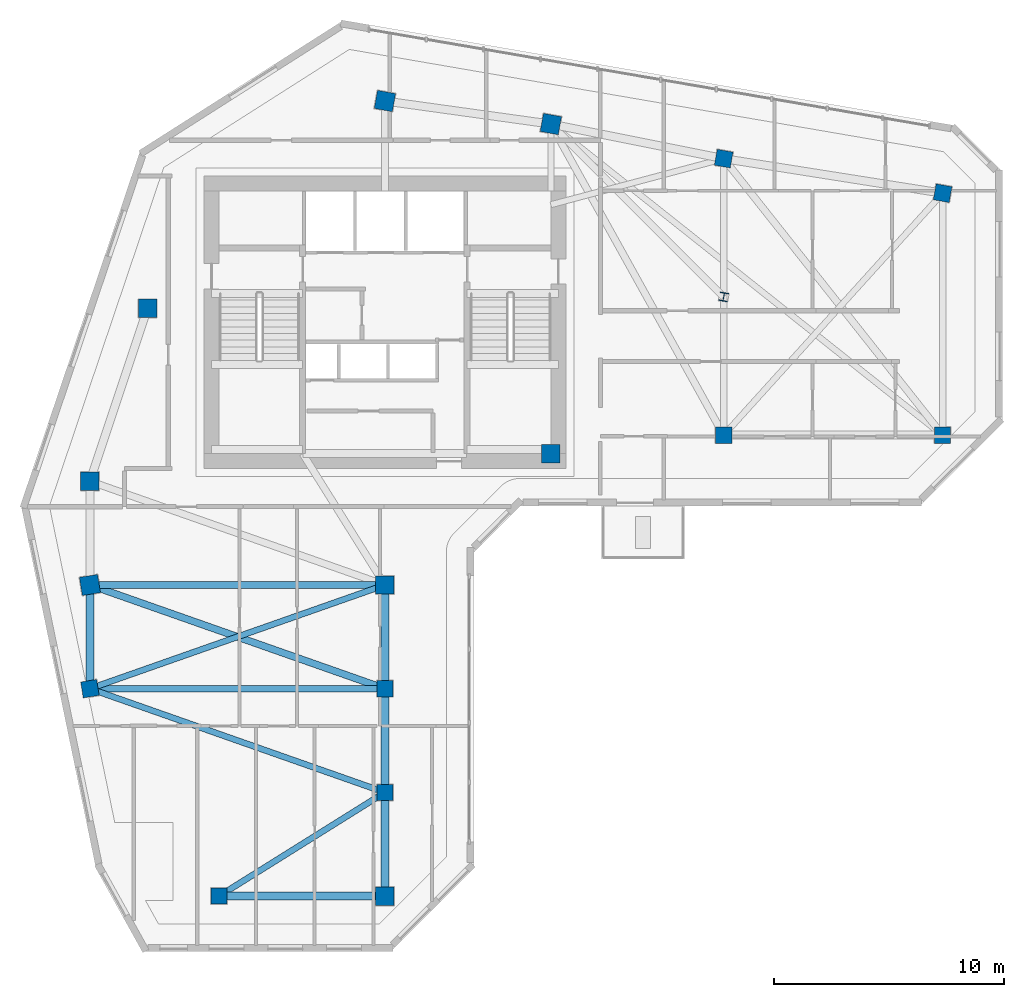
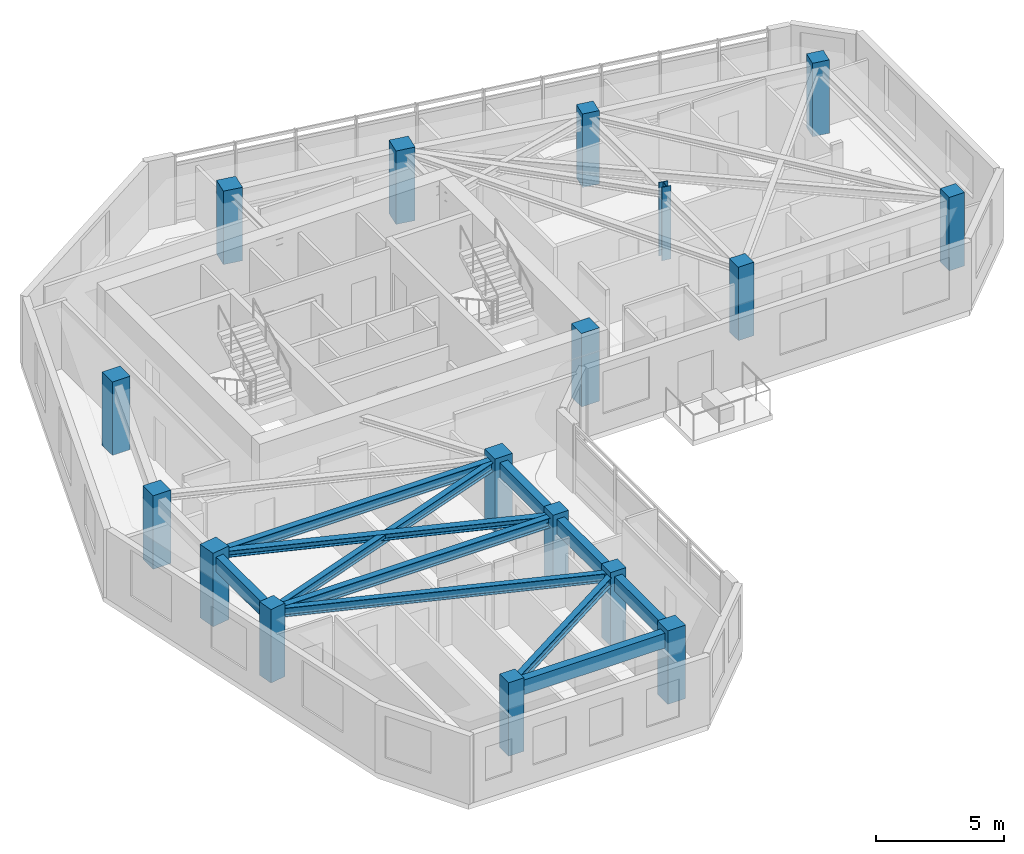
# One storey, part 1 of 11: 17 columns, 11 beams.
"""IFC4 building model written with IfcOpenShell, lengths in metres."""

from ifc_helpers import new_model, si_unit, direction, frame, origin, origin_2d, place, context, subcontext, project, spatial, rectangle, i_section, extrude, source, transform, mapped, material, material_profile, profile_set, type_object, element, save


model = new_model("IFC4")

# Units and contexts
model_context = context("Model", 3, precision=1e-05, world=origin(), true_north=direction((0.0, 1.0)))
body_context = subcontext(model_context, "Body", "Model", "MODEL_VIEW")
ifc_project = project(units=[si_unit("LENGTHUNIT", "METRE"), si_unit("AREAUNIT", "SQUARE_METRE"), si_unit("VOLUMEUNIT", "CUBIC_METRE"), si_unit("PLANEANGLEUNIT", "RADIAN"), si_unit("MASSUNIT", "GRAM", prefix="KILO")], contexts=[model_context])

# Site, building, storey
site_placement = place(None, origin())
site = spatial("IfcSite", under=ifc_project, at=site_placement, CompositionType="ELEMENT")
building_placement = place(site_placement, origin())
building = spatial("IfcBuilding", under=site, at=building_placement, Name="Calvemar Wedge Station Tower", CompositionType="ELEMENT")
storey_placement = place(building_placement, frame((0.0, 0.0, 190.39990234375)))
storey = spatial("IfcBuildingStorey", under=building, at=storey_placement, Name="L47", CompositionType="ELEMENT", Elevation=190.39990234375)

# Columns
ifc_material_1 = material(Name="Concrete C50", Category="concrete")
ifc_material_profile_1 = material_profile(ifc_material_1, rectangle(XDim=0.800048828125, YDim=0.800048828125, at=origin_2d()), Name="RC800x800")
ifc_profile_set_1 = profile_set([ifc_material_profile_1], Name="Concrete C50")
column_type_1 = type_object("IfcColumnType", Name="COL-C6-800", PredefinedType="COLUMN", material=ifc_profile_set_1)
shared_shape_1 = source(origin(), body_context, "Body", "SweptSolid", [
    extrude(rectangle(XDim=0.800048828125, YDim=0.800048828125, at=origin_2d()), origin(), (0.0, 0.0, 1.0), 3.5),
])
for number, where, z_axis, x_axis, name in (
    (1, (11.0, 33.0, 0.0), (0.0, 0.0, 1.0), (1.0, 0.0, 0.0), "Storey L47 Column T-NW1"),
    (2, (13.5, 40.5, 0.0), (0.0, 0.0, 1.0), (1.0, 0.0, 0.0), "Storey L47 Column T-NW2"),
    (3, (23.800048828125, 49.5, 0.0), (0.0, 0.0, 1.0), (0.984195607969, -0.17708474032, 0.0), "Storey L47 Column T-N1"),
    (4, (31.0, 48.5, 0.0), (0.0, 0.0, 1.0), (0.984195607969, -0.17708474032, 0.0), "Storey L47 Column T-N2"),
    (5, (31.0, 34.199951171875, 0.0), (0.0, 0.0, 1.0), (1.0, 0.0, 0.0), "Storey L47 Column T-NL1"),
    (6, (11.0, 28.5, 0.0), (0.0, 0.0, 1.0), (0.158158067254, -0.987413806751, 0.0), "Storey L47 Column T-SW1"),
    (7, (23.800048828125, 28.5, 0.0), (0.0, 0.0, 1.0), (1.0, 0.0, 0.0), "Storey L47 Column T-SE1"),
    (8, (23.800048828125, 15.0, 0.0), (0.0, 0.0, 1.0), (1.0, 0.0, 0.0), "Storey L47 Column T-SE4"),
):
    element("IfcColumn", number, at=place(storey_placement, frame(where, z_axis=z_axis, x_axis=x_axis)), inside=storey, type_object=column_type_1, Name=name, PredefinedType="COLUMN", context=body_context, shape_type="MappedRepresentation", body=[
        mapped(shared_shape_1, transform((0.0, 0.0, 0.0), scale=1.0)),
    ])
ifc_material_profile_2 = material_profile(ifc_material_1, rectangle(XDim=0.699951171875, YDim=0.699951171875, at=origin_2d()), Name="RC700x700")
ifc_profile_set_2 = profile_set([ifc_material_profile_2], Name="Concrete C50")
column_type_2 = type_object("IfcColumnType", Name="COL-C7-700", PredefinedType="COLUMN", material=ifc_profile_set_2)
shared_shape_2 = source(origin(), body_context, "Body", "SweptSolid", [
    extrude(rectangle(XDim=0.699951171875, YDim=0.699951171875, at=origin_2d()), origin(), (0.0, 0.0, 1.0), 3.5),
])
for number, where, z_axis, x_axis, name in (
    (9, (38.5, 47.0, 0.0), (0.0, 0.0, 1.0), (0.984195607969, -0.17708474032, 0.0), "Storey L47 Column T-NU3"),
    (10, (48.0, 45.5, 0.0), (0.0, 0.0, 1.0), (0.984195607969, -0.17708474032, 0.0), "Storey L47 Column T-NU4"),
    (11, (38.5, 35.0, 0.0), (0.0, 0.0, 1.0), (1.0, 0.0, 0.0), "Storey L47 Column T-NL2"),
    (12, (48.0, 35.0, 0.0), (0.0, 0.0, 1.0), (1.0, 0.0, 0.0), "Storey L47 Column T-NL3"),
    (13, (11.0, 24.0, 0.0), (0.0, 0.0, 1.0), (0.158158067254, -0.987413806751, 0.0), "Storey L47 Column T-SW2"),
    (14, (23.800048828125, 24.0, 0.0), (0.0, 0.0, 1.0), (1.0, 0.0, 0.0), "Storey L47 Column T-SE2"),
    (15, (23.800048828125, 19.5, 0.0), (0.0, 0.0, 1.0), (1.0, 0.0, 0.0), "Storey L47 Column T-SE3"),
    (16, (16.60009765625, 15.0, 0.0), (0.0, 0.0, 1.0), (1.0, 0.0, 0.0), "Storey L47 Column T-SM1"),
):
    element("IfcColumn", number, at=place(storey_placement, frame(where, z_axis=z_axis, x_axis=x_axis)), inside=storey, type_object=column_type_2, Name=name, PredefinedType="COLUMN", context=body_context, shape_type="MappedRepresentation", body=[
        mapped(shared_shape_2, transform((0.0, 0.0, 0.0), scale=1.0)),
    ])
ifc_material_2 = material(Name="Structural steel ASTM A572 Grade 50", Category="steel")
ifc_material_profile_3 = material_profile(ifc_material_2, i_section(OverallWidth=0.3740234375, OverallDepth=0.3720703125, WebThickness=0.016357421875, FlangeThickness=0.026123046875, FilletRadius=0.014892578125, at=origin_2d()), Name="W360x196")
ifc_profile_set_3 = profile_set([ifc_material_profile_3], Name="Structural steel ASTM A572 Grade 50")
column_type_3 = type_object("IfcColumnType", Name="COL-STL-W360", PredefinedType="COLUMN", material=ifc_profile_set_3)
shared_shape_3 = source(origin(), body_context, "Body", "SweptSolid", [
    extrude(i_section(OverallWidth=0.3740234375, OverallDepth=0.3720703125, WebThickness=0.016357421875, FlangeThickness=0.026123046875, FilletRadius=0.014892578125, at=origin_2d()), origin(), (0.0, 0.0, 1.0), 3.5),
])
column_placement = place(storey_placement, frame((38.5, 41.0, 0.0), z_axis=(0.0, 0.0, 1.0), x_axis=(0.984195607969, -0.17708474032, 0.0)))
element("IfcColumn", 17, at=column_placement, inside=storey, type_object=column_type_3, Name="Storey L47 Column T-NTIP-B", PredefinedType="COLUMN", context=body_context, shape_type="MappedRepresentation", body=[
    mapped(shared_shape_3, transform((0.0, 0.0, 0.0), scale=1.0)),
])

# Beams
ifc_material_profile_4 = material_profile(ifc_material_2, i_section(OverallWidth=0.304931640625, OverallDepth=0.30810546875, WebThickness=0.010009765625, FlangeThickness=0.015380859375, FilletRadius=0.014892578125, at=origin_2d()), Name="W310x97")
ifc_profile_set_4 = profile_set([ifc_material_profile_4], Name="Structural steel ASTM A572 Grade 50")
beam_type_1 = type_object("IfcBeamType", Name="BM-J6-W310", PredefinedType="JOIST", material=ifc_profile_set_4)
shared_shape_4 = source(origin(), body_context, "Body", "SweptSolid", [
    extrude(i_section(OverallWidth=0.304931640625, OverallDepth=0.30810546875, WebThickness=0.010009765625, FlangeThickness=0.015380859375, FilletRadius=0.014892578125, at=origin_2d()), origin(), (0.0, 0.0, 1.0), 13.568115234375),
])
beam_1_placement = place(storey_placement, frame((11.0, 28.5, 3.09619140625), z_axis=(0.943398221169, -0.331662171939, 0.0), x_axis=(0.331662171939, 0.943398221169, 0.0)))
element("IfcBeam", 18, at=beam_1_placement, inside=storey, type_object=beam_type_1, Name="Storey L47 Floor Beam T-SW1-T-SE2", PredefinedType="JOIST", context=body_context, shape_type="MappedRepresentation", body=[
    mapped(shared_shape_4, transform((0.0, 0.0, 0.0), scale=1.0)),
])
ifc_material_profile_5 = material_profile(ifc_material_2, i_section(OverallWidth=0.260986328125, OverallDepth=0.419921875, WebThickness=0.01171875, FlangeThickness=0.019287109375, FilletRadius=0.012939453125, at=origin_2d()), Name="W410x114")
ifc_profile_set_5 = profile_set([ifc_material_profile_5], Name="Structural steel ASTM A572 Grade 50")
beam_type_2 = type_object("IfcBeamType", Name="BM-J2-W410H", PredefinedType="JOIST", material=ifc_profile_set_5)
shared_shape_5 = source(origin(), body_context, "Body", "SweptSolid", [
    extrude(i_section(OverallWidth=0.260986328125, OverallDepth=0.419921875, WebThickness=0.01171875, FlangeThickness=0.019287109375, FilletRadius=0.012939453125, at=origin_2d()), origin(), (0.0, 0.0, 1.0), 13.568115234375),
])
for number, where, z_axis, x_axis, name in (
    (19, (23.800048828125, 28.5, 3.0400390625), (-0.943398221169, -0.331662171939, 0.0), (0.331662171939, -0.943398221169, 0.0), "Storey L47 Floor Beam T-SE1-T-SW2"),
    (20, (11.0, 24.0, 3.0400390625), (0.943398221169, -0.331662171939, 0.0), (0.331662171939, 0.943398221169, 0.0), "Storey L47 Floor Beam T-SW2-T-SE3"),
):
    element("IfcBeam", number, at=place(storey_placement, frame(where, z_axis=z_axis, x_axis=x_axis)), inside=storey, type_object=beam_type_2, Name=name, PredefinedType="JOIST", context=body_context, shape_type="MappedRepresentation", body=[
        mapped(shared_shape_5, transform((0.0, 0.0, 0.0), scale=1.0)),
    ])
shared_shape_6 = source(origin(), body_context, "Body", "SweptSolid", [
    extrude(i_section(OverallWidth=0.260986328125, OverallDepth=0.419921875, WebThickness=0.01171875, FlangeThickness=0.019287109375, FilletRadius=0.012939453125, at=origin_2d()), origin(), (0.0, 0.0, 1.0), 8.490478515625),
])
beam_2_placement = place(storey_placement, frame((23.800048828125, 19.5, 3.0400390625), z_axis=(-0.847996688584, -0.530001524668, 0.0), x_axis=(0.530001524668, -0.847996688584, 0.0)))
element("IfcBeam", 21, at=beam_2_placement, inside=storey, type_object=beam_type_2, Name="Storey L47 Floor Beam T-SE3-T-SM1", PredefinedType="JOIST", context=body_context, shape_type="MappedRepresentation", body=[
    mapped(shared_shape_6, transform((0.0, 0.0, 0.0), scale=1.0)),
])
ifc_material_profile_6 = material_profile(ifc_material_1, rectangle(XDim=0.35009765625, YDim=0.699951171875, at=origin_2d()), Name="RC350x700")
ifc_profile_set_6 = profile_set([ifc_material_profile_6], Name="Concrete C50")
beam_type_3 = type_object("IfcBeamType", Name="BM-SP2-700", PredefinedType="SPANDREL", material=ifc_profile_set_6)
shared_shape_7 = source(origin(), body_context, "Body", "SweptSolid", [
    extrude(rectangle(XDim=0.35009765625, YDim=0.699951171875, at=origin_2d()), origin(), (0.0, 0.0, 1.0), 4.5),
])
for number, where, z_axis, x_axis, name in (
    (22, (11.0, 28.5, 2.900146484375), (0.0, -1.0, 0.0), (1.0, 0.0, 0.0), "Storey L47 Spandrel T-SW1-T-SW2"),
    (23, (23.800048828125, 28.5, 2.900146484375), (0.0, -1.0, 0.0), (1.0, 0.0, 0.0), "Storey L47 Spandrel T-SE1-T-SE2"),
    (24, (23.800048828125, 24.0, 2.900146484375), (0.0, -1.0, 0.0), (1.0, 0.0, 0.0), "Storey L47 Spandrel T-SE2-T-SE3"),
    (25, (23.800048828125, 19.5, 2.900146484375), (0.0, -1.0, 0.0), (1.0, 0.0, 0.0), "Storey L47 Spandrel T-SE3-T-SE4"),
):
    element("IfcBeam", number, at=place(storey_placement, frame(where, z_axis=z_axis, x_axis=x_axis)), inside=storey, type_object=beam_type_3, Name=name, PredefinedType="SPANDREL", context=body_context, shape_type="MappedRepresentation", body=[
        mapped(shared_shape_7, transform((0.0, 0.0, 0.0), scale=1.0)),
    ])
shared_shape_8 = source(origin(), body_context, "Body", "SweptSolid", [
    extrude(rectangle(XDim=0.35009765625, YDim=0.699951171875, at=origin_2d()), origin(), (0.0, 0.0, 1.0), 7.199951171875),
])
beam_3_placement = place(storey_placement, frame((16.60009765625, 15.0, 2.900146484375), z_axis=(1.0, 0.0, 0.0), x_axis=(0.0, 1.0, 0.0)))
element("IfcBeam", 26, at=beam_3_placement, inside=storey, type_object=beam_type_3, Name="Storey L47 Spandrel T-SM1-T-SE4", PredefinedType="SPANDREL", context=body_context, shape_type="MappedRepresentation", body=[
    mapped(shared_shape_8, transform((0.0, 0.0, 0.0), scale=1.0)),
])
ifc_material_profile_7 = material_profile(ifc_material_2, i_section(OverallWidth=0.283935546875, OverallDepth=0.47607421875, WebThickness=0.014892578125, FlangeThickness=0.02392578125, FilletRadius=0.014892578125, at=origin_2d()), Name="W460x158")
ifc_profile_set_7 = profile_set([ifc_material_profile_7], Name="Structural steel ASTM A572 Grade 50")
beam_type_4 = type_object("IfcBeamType", Name="BM-SB5-W460H", PredefinedType="BEAM", material=ifc_profile_set_7)
shared_shape_9 = source(origin(), body_context, "Body", "SweptSolid", [
    extrude(i_section(OverallWidth=0.283935546875, OverallDepth=0.47607421875, WebThickness=0.014892578125, FlangeThickness=0.02392578125, FilletRadius=0.014892578125, at=origin_2d()), origin(), (0.0, 0.0, 1.0), 12.800048828125),
])
for number, where, z_axis, x_axis, name in (
    (27, (11.0, 28.5, 3.01220703125), (1.0, 0.0, 0.0), (0.0, 1.0, 0.0), "Storey L47 Floor Beam T-SW1-T-SE1"),
    (28, (11.0, 24.0, 3.01220703125), (1.0, 0.0, 0.0), (0.0, 1.0, 0.0), "Storey L47 Floor Beam T-SW2-T-SE2"),
):
    element("IfcBeam", number, at=place(storey_placement, frame(where, z_axis=z_axis, x_axis=x_axis)), inside=storey, type_object=beam_type_4, Name=name, PredefinedType="BEAM", context=body_context, shape_type="MappedRepresentation", body=[
        mapped(shared_shape_9, transform((0.0, 0.0, 0.0), scale=1.0)),
    ])

save(model, "model.ifc")
